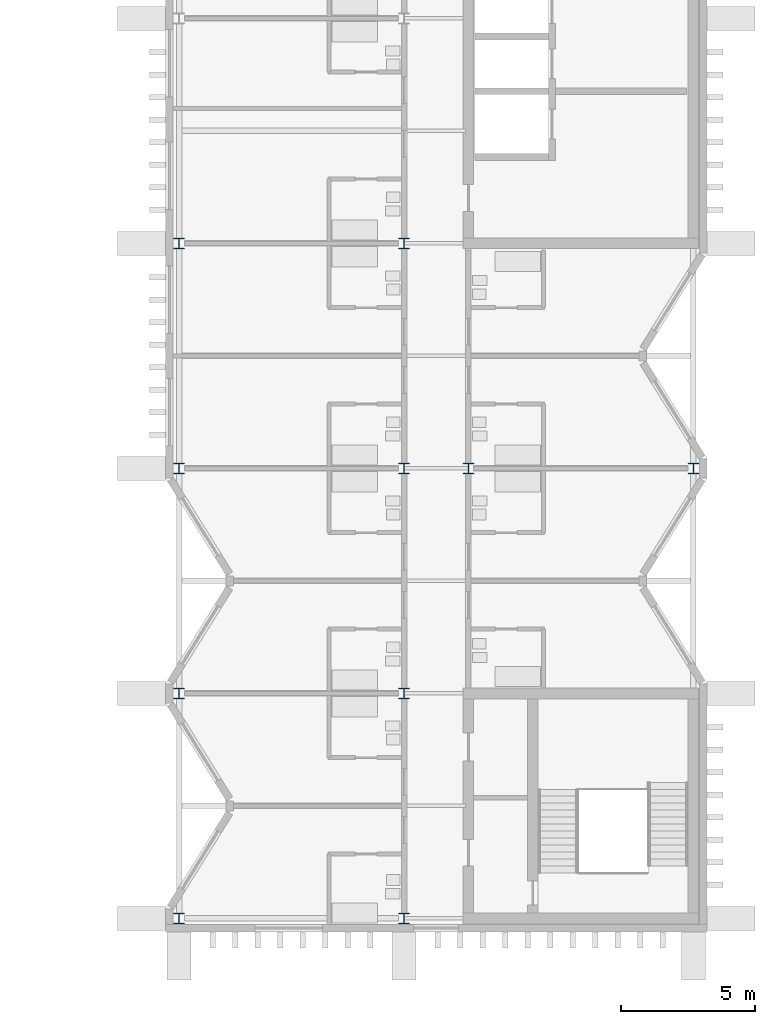
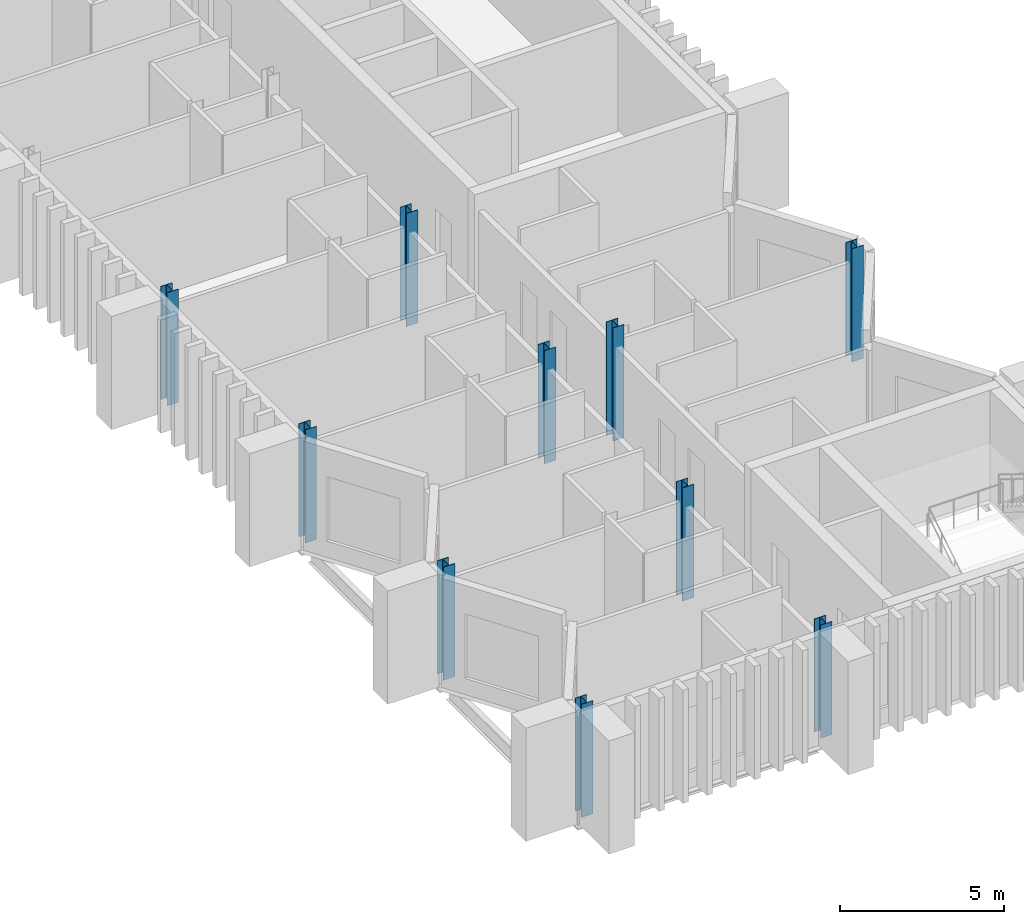
# One storey, part 2 of 20: 10 columns.
"""IFC4 building model written with IfcOpenShell, lengths in metres."""

from ifc_helpers import new_model, si_unit, direction, frame, origin, origin_2d, place, context, subcontext, project, spatial, i_section, extrude, material, material_profile, profile_set, type_object, element, save


model = new_model("IFC4")

# Units and contexts
model_context = context("Model", 3, precision=1e-05, world=origin(), true_north=direction((0.0, 1.0)))
body_context = subcontext(model_context, "Body", "Model", "MODEL_VIEW")
ifc_project = project(units=[si_unit("LENGTHUNIT", "METRE"), si_unit("AREAUNIT", "SQUARE_METRE"), si_unit("VOLUMEUNIT", "CUBIC_METRE"), si_unit("PLANEANGLEUNIT", "RADIAN"), si_unit("MASSUNIT", "GRAM", prefix="KILO")], contexts=[model_context])

# Site, building, storey
site_placement = place(None, origin())
site = spatial("IfcSite", under=ifc_project, at=site_placement, CompositionType="ELEMENT")
building_placement = place(site_placement, origin())
building = spatial("IfcBuilding", under=site, at=building_placement, Name="Cresset Court Congress Hotel", CompositionType="ELEMENT")
storey_placement = place(building_placement, frame((0.0, 0.0, 27.0)))
storey = spatial("IfcBuildingStorey", under=building, at=storey_placement, Name="L06", CompositionType="ELEMENT", Elevation=27.0)

# Columns
ifc_material = material(Name="Structural steel Q355B", Category="steel")
ifc_material_profile = material_profile(ifc_material, i_section(OverallWidth=0.39990234375, OverallDepth=0.39990234375, WebThickness=0.012939453125, FlangeThickness=0.02099609375, FilletRadius=0.02197265625, at=origin_2d()), Name="HW400x400x13x21")
ifc_profile_set = profile_set([ifc_material_profile], Name="Structural steel Q355B")
column_type = type_object("IfcColumnType", Name="Steel column HW400x400x13x21", PredefinedType="COLUMN", material=ifc_profile_set)
for number, where, z_axis, x_axis, name in (
    (1, (157.199951171875, 0.0, 0.0), (0.0, 0.0, 1.0), (1.0, 0.0, 0.0), "Column L06 1-20"),
    (2, (157.199951171875, 8.39990234375, 0.0), (0.0, 0.0, 1.0), (1.0, 0.0, 0.0), "Column L06 2-20"),
    (3, (157.199951171875, 16.800048828125, 0.0), (0.0, 0.0, 1.0), (1.0, 0.0, 0.0), "Column L06 3-20"),
    (4, (157.199951171875, 25.199951171875, 0.0), (0.0, 0.0, 1.0), (1.0, 0.0, 0.0), "Column L06 4-20"),
    (5, (165.60009765625, 0.0, 0.0), (0.0, 0.0, 1.0), (1.0, 0.0, 0.0), "Column L06 1-21"),
    (6, (165.60009765625, 8.39990234375, 0.0), (0.0, 0.0, 1.0), (1.0, 0.0, 0.0), "Column L06 2-21"),
    (7, (165.60009765625, 16.800048828125, 0.0), (0.0, 0.0, 1.0), (1.0, 0.0, 0.0), "Column L06 3-21"),
    (8, (165.60009765625, 25.199951171875, 0.0), (0.0, 0.0, 1.0), (1.0, 0.0, 0.0), "Column L06 4-21"),
    (9, (168.0, 16.800048828125, 0.0), (0.0, 0.0, 1.0), (1.0, 0.0, 0.0), "Column L06 3-22"),
    (10, (176.39990234375, 16.800048828125, 0.0), (0.0, 0.0, 1.0), (1.0, 0.0, 0.0), "Column L06 3-23"),
):
    element("IfcColumn", number, at=place(storey_placement, frame(where, z_axis=z_axis, x_axis=x_axis)), inside=storey, type_object=column_type, Name=name, PredefinedType="COLUMN", context=body_context, shape_type="SweptSolid", body=[
        extrude(i_section(OverallWidth=0.39990234375, OverallDepth=0.39990234375, WebThickness=0.012939453125, FlangeThickness=0.02099609375, FilletRadius=0.02197265625, at=origin_2d()), origin(), (0.0, 0.0, 1.0), 4.199951171875),
    ])

save(model, "model.ifc")
